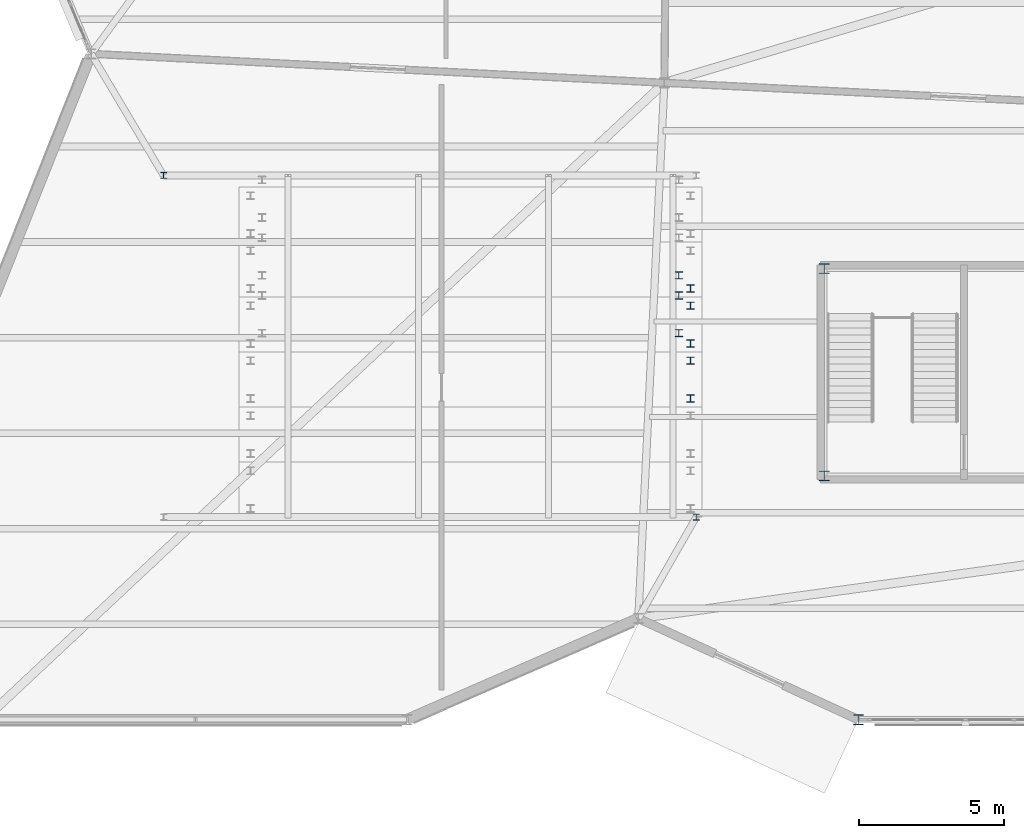
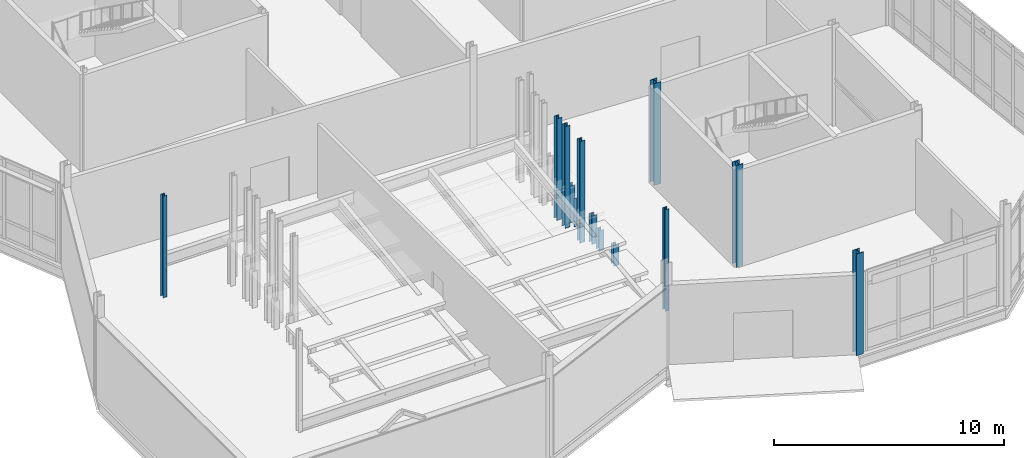
# One storey, part 2 of 113: 13 columns.
"""IFC4 building model written with IfcOpenShell, lengths in metres."""

from ifc_helpers import new_model, si_unit, direction, frame, origin, origin_2d, place, context, subcontext, project, spatial, i_section, extrude, material, material_profile, profile_set, type_object, element, save


model = new_model("IFC4")

# Units and contexts
model_context = context("Model", 3, precision=1e-05, world=origin(), true_north=direction((0.0, 1.0)))
body_context = subcontext(model_context, "Body", "Model", "MODEL_VIEW")
ifc_project = project(units=[si_unit("LENGTHUNIT", "METRE"), si_unit("AREAUNIT", "SQUARE_METRE"), si_unit("VOLUMEUNIT", "CUBIC_METRE"), si_unit("PLANEANGLEUNIT", "RADIAN"), si_unit("MASSUNIT", "GRAM", prefix="KILO")], contexts=[model_context])

# Site, building, storey
site_placement = place(None, origin())
site = spatial("IfcSite", under=ifc_project, at=site_placement, CompositionType="ELEMENT")
building_placement = place(site_placement, origin())
building = spatial("IfcBuilding", under=site, at=building_placement, Name="Tameran Prism Museum", CompositionType="ELEMENT")
storey_placement = place(building_placement, origin())
storey = spatial("IfcBuildingStorey", under=building, at=storey_placement, Name="L00", CompositionType="ELEMENT", Elevation=0.0)

# Columns
ifc_material_1 = material(Name="Steel Grade 300PLUS (300 MPa)", Category="steel")
ifc_material_profile_1 = material_profile(ifc_material_1, i_section(OverallWidth=0.205078125, OverallDepth=0.2099609375, WebThickness=0.00927734375, FlangeThickness=0.01416015625, FilletRadius=0.01025390625, at=origin_2d()))
ifc_profile_set_1 = profile_set([ifc_material_profile_1])
column_type_1 = type_object("IfcColumnType", Name="COL-UC200", PredefinedType="COLUMN", material=ifc_profile_set_1)
for number, where, z_axis, x_axis, name in (
    (1, (24.60009765625, 7.0, 0.0), (0.0, 0.0, 1.0), (1.0, 0.0, 0.0), "Column CA-02 L00"),
    (2, (6.199951171875, 18.800048828125, 0.0), (0.0, 0.0, 1.0), (1.0, 0.0, 0.0), "Column CA-03 L00"),
):
    element("IfcColumn", number, at=place(storey_placement, frame(where, z_axis=z_axis, x_axis=x_axis)), inside=storey, type_object=column_type_1, Name=name, PredefinedType="COLUMN", context=body_context, shape_type="SweptSolid", body=[
        extrude(i_section(OverallWidth=0.205078125, OverallDepth=0.2099609375, WebThickness=0.00927734375, FlangeThickness=0.01416015625, FilletRadius=0.01025390625, at=origin_2d()), origin(), (0.0, 0.0, 1.0), 5.39990234375),
    ])
ifc_material_2 = material(Name="Steel Grade 300PLUS (300 MPa)", Category="steel")
ifc_material_profile_2 = material_profile(ifc_material_2, i_section(OverallWidth=0.25390625, OverallDepth=0.25390625, WebThickness=0.008544921875, FlangeThickness=0.01416015625, FilletRadius=0.0126953125, at=origin_2d()))
ifc_profile_set_2 = profile_set([ifc_material_profile_2])
column_type_2 = type_object("IfcColumnType", Name="COL-UC250B", PredefinedType="COLUMN", material=ifc_profile_set_2)
for number, where, z_axis, x_axis, name in (
    (3, (24.39990234375, 11.10009765625, 0.0), (0.0, 0.0, 1.0), (1.0, 0.0, 0.0), "Auditorium Tier Riser Column CAT-L0-11"),
    (4, (24.39990234375, 12.39990234375, 0.0), (0.0, 0.0, 1.0), (1.0, 0.0, 0.0), "Auditorium Tier Riser Column CAT-L0-12"),
):
    element("IfcColumn", number, at=place(storey_placement, frame(where, z_axis=z_axis, x_axis=x_axis)), inside=storey, type_object=column_type_2, Name=name, PredefinedType="COLUMN", context=body_context, shape_type="SweptSolid", body=[
        extrude(i_section(OverallWidth=0.25390625, OverallDepth=0.25390625, WebThickness=0.008544921875, FlangeThickness=0.01416015625, FilletRadius=0.0126953125, at=origin_2d()), origin(), (0.0, 0.0, 1.0), 1.094970703125),
    ])
for number, where, z_axis, x_axis, name in (
    (5, (24.39990234375, 13.0, 0.0), (0.0, 0.0, 1.0), (1.0, 0.0, 0.0), "Auditorium Tier Riser Column CAT-L0-15"),
    (6, (24.39990234375, 14.300048828125, 0.0), (0.0, 0.0, 1.0), (1.0, 0.0, 0.0), "Auditorium Tier Riser Column CAT-L0-16"),
):
    element("IfcColumn", number, at=place(storey_placement, frame(where, z_axis=z_axis, x_axis=x_axis)), inside=storey, type_object=column_type_2, Name=name, PredefinedType="COLUMN", context=body_context, shape_type="SweptSolid", body=[
        extrude(i_section(OverallWidth=0.25390625, OverallDepth=0.25390625, WebThickness=0.008544921875, FlangeThickness=0.01416015625, FilletRadius=0.0126953125, at=origin_2d()), origin(), (0.0, 0.0, 1.0), 1.514892578125),
    ])
column_placement = place(storey_placement, frame((24.39990234375, 14.89990234375, 0.0), z_axis=(0.0, 0.0, 1.0), x_axis=(1.0, 0.0, 0.0)))
element("IfcColumn", 7, at=column_placement, inside=storey, type_object=column_type_2, Name="Auditorium Tier Riser Column CAT-L0-19", PredefinedType="COLUMN", context=body_context, shape_type="SweptSolid", body=[
    extrude(i_section(OverallWidth=0.25390625, OverallDepth=0.25390625, WebThickness=0.008544921875, FlangeThickness=0.01416015625, FilletRadius=0.0126953125, at=origin_2d()), origin(), (0.0, 0.0, 1.0), 1.93505859375),
])
for number, where, z_axis, x_axis, name in (
    (8, (24.0, 13.35009765625, 0.0), (0.0, 0.0, 1.0), (1.0, 0.0, 0.0), "Balcony Subframe L00 Column CAB-L0-27"),
    (9, (24.0, 14.64990234375, 0.0), (0.0, 0.0, 1.0), (1.0, 0.0, 0.0), "Balcony Subframe L00 Column CAB-L0-28"),
    (10, (24.0, 15.35009765625, 0.0), (0.0, 0.0, 1.0), (1.0, 0.0, 0.0), "Balcony Subframe L00 Column CAB-L0-31"),
):
    element("IfcColumn", number, at=place(storey_placement, frame(where, z_axis=z_axis, x_axis=x_axis)), inside=storey, type_object=column_type_2, Name=name, PredefinedType="COLUMN", context=body_context, shape_type="SweptSolid", body=[
        extrude(i_section(OverallWidth=0.25390625, OverallDepth=0.25390625, WebThickness=0.008544921875, FlangeThickness=0.01416015625, FilletRadius=0.0126953125, at=origin_2d()), origin(), (0.0, 0.0, 1.0), 5.39990234375),
    ])
ifc_material_3 = material(Name="Steel Grade 350 (350 MPa)", Category="steel")
ifc_material_profile_3 = material_profile(ifc_material_3, i_section(OverallWidth=0.35009765625, OverallDepth=0.35009765625, WebThickness=0.02001953125, FlangeThickness=0.028076171875, at=origin_2d()))
ifc_profile_set_3 = profile_set([ifc_material_profile_3])
column_type_3 = type_object("IfcColumnType", Name="COL-WC350", PredefinedType="COLUMN", material=ifc_profile_set_3)
for number, where, z_axis, x_axis, name in (
    (11, (30.199951171875, 0.0, 0.0), (0.0, 0.0, 1.0), (1.0, 0.0, 0.0), "Column CV-18 L00"),
    (12, (29.02001953125, 8.419921875, 0.0), (0.0, 0.0, 1.0), (1.0, 0.0, 0.0), "Column CC-6-1 L00"),
    (13, (29.02001953125, 15.580078125, 0.0), (0.0, 0.0, 1.0), (1.0, 0.0, 0.0), "Column CC-6-4 L00"),
):
    element("IfcColumn", number, at=place(storey_placement, frame(where, z_axis=z_axis, x_axis=x_axis)), inside=storey, type_object=column_type_3, Name=name, PredefinedType="COLUMN", context=body_context, shape_type="SweptSolid", body=[
        extrude(i_section(OverallWidth=0.35009765625, OverallDepth=0.35009765625, WebThickness=0.02001953125, FlangeThickness=0.028076171875, at=origin_2d()), origin(), (0.0, 0.0, 1.0), 5.39990234375),
    ])

save(model, "model.ifc")
